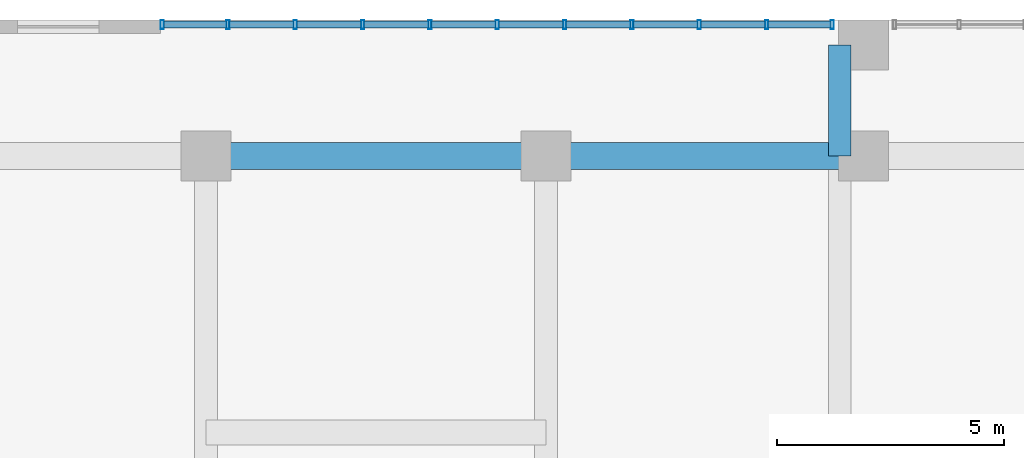
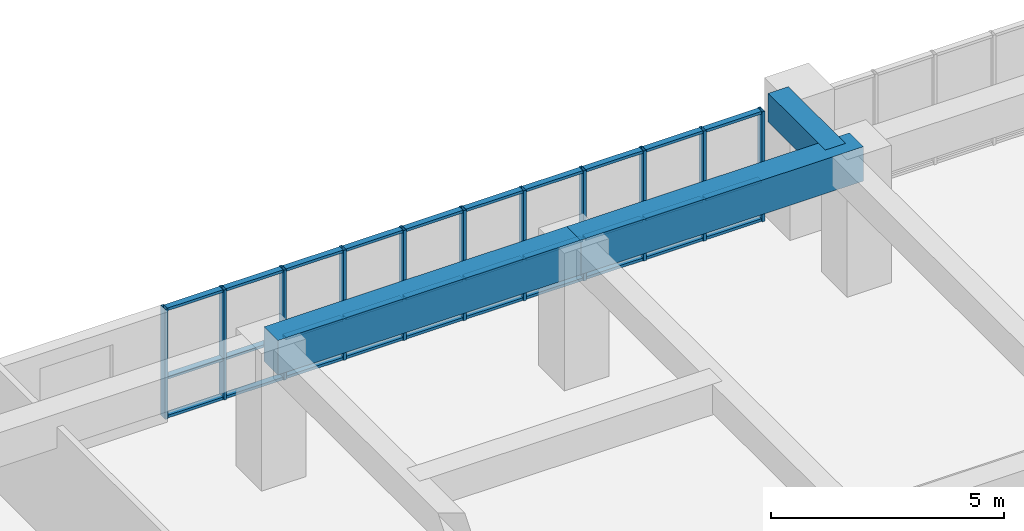
# One storey, part 10 of 30: 41 members, 3 beams, 1 element without a shape of its own.
"""IFC4 building model written with IfcOpenShell, lengths in metres."""

from ifc_helpers import new_model, si_unit, direction, frame, origin, origin_2d, place, context, subcontext, project, spatial, rectangle, hollow_rectangle, extrude, source, transform, mapped, material, layer, layer_set, material_profile, profile_set, type_object, element, aggregate, save


model = new_model("IFC4")

# Units and contexts
model_context = context("Model", 3, precision=1e-05, world=origin(), true_north=direction((0.0, 1.0)))
body_context = subcontext(model_context, "Body", "Model", "MODEL_VIEW")
ifc_project = project(units=[si_unit("LENGTHUNIT", "METRE"), si_unit("AREAUNIT", "SQUARE_METRE"), si_unit("VOLUMEUNIT", "CUBIC_METRE"), si_unit("PLANEANGLEUNIT", "RADIAN"), si_unit("MASSUNIT", "GRAM", prefix="KILO")], contexts=[model_context])

# Site, building, storey
site_placement = place(None, origin())
site = spatial("IfcSite", under=ifc_project, at=site_placement, CompositionType="ELEMENT")
building_placement = place(site_placement, origin())
building = spatial("IfcBuilding", under=site, at=building_placement, Name="Saelheon Loggia Tower", CompositionType="ELEMENT")
storey_placement = place(building_placement, frame((0.0, 0.0, 11.39990234375)))
storey = spatial("IfcBuildingStorey", under=building, at=storey_placement, Name="L03", CompositionType="ELEMENT", Elevation=11.39990234375)

# Beams
ifc_material_1 = material(Name="Concrete C50/60", Category="concrete")
ifc_material_profile_1 = material_profile(ifc_material_1, rectangle(XDim=0.60009765625, YDim=0.89990234375, at=origin_2d()), Name="RC-600x900")
ifc_profile_set_1 = profile_set([ifc_material_profile_1], Name="Concrete C50/60")
beam_type_1 = type_object("IfcBeamType", Name="Beam_MainGirder_RC600x900", PredefinedType="BEAM", material=ifc_profile_set_1)
shared_shape_1 = source(origin(), body_context, "Body", "SweptSolid", [
    extrude(rectangle(XDim=0.60009765625, YDim=0.89990234375, at=origin_2d()), origin(), (0.0, 0.0, 1.0), 7.5),
])
beam_1_placement = place(storey_placement, frame((17.0, 51.0, 3.150146484375), z_axis=(1.0, 0.0, 0.0), x_axis=(0.0, 1.0, 0.0)))
element("IfcBeam", 1, at=beam_1_placement, inside=storey, type_object=beam_type_1, Name="BM-L03-EW-51-3", PredefinedType="BEAM", context=body_context, shape_type="MappedRepresentation", body=[
    mapped(shared_shape_1, transform((0.0, 0.0, 0.0), scale=1.0)),
])
shared_shape_2 = source(origin(), body_context, "Body", "SweptSolid", [
    extrude(rectangle(XDim=0.60009765625, YDim=0.89990234375, at=origin_2d()), origin(), (0.0, 0.0, 1.0), 7.0),
])
beam_2_placement = place(storey_placement, frame((24.5, 51.0, 3.150146484375), z_axis=(1.0, 0.0, 0.0), x_axis=(0.0, 1.0, 0.0)))
element("IfcBeam", 2, at=beam_2_placement, inside=storey, type_object=beam_type_1, Name="BM-L03-EW-51-4", PredefinedType="BEAM", context=body_context, shape_type="MappedRepresentation", body=[
    mapped(shared_shape_2, transform((0.0, 0.0, 0.0), scale=1.0)),
])
ifc_material_2 = material(Name="Concrete C45/55", Category="concrete")
ifc_material_profile_2 = material_profile(ifc_material_2, rectangle(XDim=0.5, YDim=0.75, at=origin_2d()), Name="RC-500x750")
ifc_profile_set_2 = profile_set([ifc_material_profile_2], Name="Concrete C45/55")
beam_type_2 = type_object("IfcBeamType", Name="Beam_FloorGirder_RC500x750", PredefinedType="BEAM", material=ifc_profile_set_2)
shared_shape_3 = source(origin(), body_context, "Body", "SweptSolid", [
    extrude(rectangle(XDim=0.5, YDim=0.75, at=origin_2d()), origin(), (0.0, 0.0, 1.0), 2.449951171875),
])
beam_3_placement = place(storey_placement, frame((30.97998046875, 51.0, 3.22509765625), z_axis=(0.0, 1.0, 0.0), x_axis=(-1.0, 0.0, 0.0)))
element("IfcBeam", 3, at=beam_3_placement, inside=storey, type_object=beam_type_2, Name="BM-L03-NS-30-7", PredefinedType="BEAM", context=body_context, shape_type="MappedRepresentation", body=[
    mapped(shared_shape_3, transform((0.0, 0.0, 0.0), scale=1.0)),
])

# Curtain wall, members
ifc_material_3 = material(Name="Aluminium 6063-T6 and Low-E IGU", Category="aluminium")
ifc_layer = layer(ifc_material_3, 0.179931640625)
ifc_layer_set = layer_set([ifc_layer], Name="Aluminium 6063-T6 and Low-E IGU")
curtain_wall_type = type_object("IfcCurtainWallType", Name="CW_PodiumClinic", PredefinedType="NOTDEFINED", material=ifc_layer_set)
curtain_wall_placement = place(storey_placement, origin())
curtain_wall = element("IfcCurtainWall", 4, at=curtain_wall_placement, inside=storey, type_object=curtain_wall_type, Name="L03 North Clinic Curtain Wall 1", PredefinedType="NOTDEFINED")
ifc_material_4 = material(Name="Anodised Aluminium 6063-T6", Category="aluminium")
ifc_material_profile_3 = material_profile(ifc_material_4, hollow_rectangle(XDim=0.070068359375, YDim=0.199951171875, WallThickness=0.0048828125, at=origin_2d()), Name="RHS-200x70x5")
ifc_profile_set_3 = profile_set([ifc_material_profile_3], Name="Anodised Aluminium 6063-T6")
member_type_1 = type_object("IfcMemberType", Name="CW_PodiumClinic_Mullion", PredefinedType="MULLION", material=ifc_profile_set_3)
shared_shape_4 = source(origin(), body_context, "Body", "SweptSolid", [
    extrude(hollow_rectangle(XDim=0.070068359375, YDim=0.199951171875, WallThickness=0.0048828125, at=origin_2d()), origin(), (0.0, 0.0, 1.0), 2.880126953125),
])
member_1_placement = place(storey_placement, frame((16.034912109375, 53.89990234375, 0.0), z_axis=(0.0, 0.0, 1.0), x_axis=(1.0, 0.0, 0.0)))
member_1 = element("IfcMember", 5, at=member_1_placement, type_object=member_type_1, Name="CW1 mullion 1", PredefinedType="MULLION", context=body_context, shape_type="MappedRepresentation", body=[
    mapped(shared_shape_4, transform((0.0, 0.0, 0.0), scale=1.0)),
])
member_2_placement = place(storey_placement, frame((17.485107421875, 53.89990234375, 0.0), z_axis=(0.0, 0.0, 1.0), x_axis=(1.0, 0.0, 0.0)))
member_2 = element("IfcMember", 6, at=member_2_placement, type_object=member_type_1, Name="CW1 mullion 2", PredefinedType="MULLION", context=body_context, shape_type="MappedRepresentation", body=[
    mapped(shared_shape_4, transform((0.0, 0.0, 0.0), scale=1.0)),
])
member_3_placement = place(storey_placement, frame((18.969970703125, 53.89990234375, 0.0), z_axis=(0.0, 0.0, 1.0), x_axis=(1.0, 0.0, 0.0)))
member_3 = element("IfcMember", 7, at=member_3_placement, type_object=member_type_1, Name="CW1 mullion 3", PredefinedType="MULLION", context=body_context, shape_type="MappedRepresentation", body=[
    mapped(shared_shape_4, transform((0.0, 0.0, 0.0), scale=1.0)),
])
member_4_placement = place(storey_placement, frame((20.455078125, 53.89990234375, 0.0), z_axis=(0.0, 0.0, 1.0), x_axis=(1.0, 0.0, 0.0)))
member_4 = element("IfcMember", 8, at=member_4_placement, type_object=member_type_1, Name="CW1 mullion 4", PredefinedType="MULLION", context=body_context, shape_type="MappedRepresentation", body=[
    mapped(shared_shape_4, transform((0.0, 0.0, 0.0), scale=1.0)),
])
member_5_placement = place(storey_placement, frame((21.93994140625, 53.89990234375, 0.0), z_axis=(0.0, 0.0, 1.0), x_axis=(1.0, 0.0, 0.0)))
member_5 = element("IfcMember", 9, at=member_5_placement, type_object=member_type_1, Name="CW1 mullion 5", PredefinedType="MULLION", context=body_context, shape_type="MappedRepresentation", body=[
    mapped(shared_shape_4, transform((0.0, 0.0, 0.0), scale=1.0)),
])
member_6_placement = place(storey_placement, frame((23.425048828125, 53.89990234375, 0.0), z_axis=(0.0, 0.0, 1.0), x_axis=(1.0, 0.0, 0.0)))
member_6 = element("IfcMember", 10, at=member_6_placement, type_object=member_type_1, Name="CW1 mullion 6", PredefinedType="MULLION", context=body_context, shape_type="MappedRepresentation", body=[
    mapped(shared_shape_4, transform((0.0, 0.0, 0.0), scale=1.0)),
])
member_7_placement = place(storey_placement, frame((24.909912109375, 53.89990234375, 0.0), z_axis=(0.0, 0.0, 1.0), x_axis=(1.0, 0.0, 0.0)))
member_7 = element("IfcMember", 11, at=member_7_placement, type_object=member_type_1, Name="CW1 mullion 7", PredefinedType="MULLION", context=body_context, shape_type="MappedRepresentation", body=[
    mapped(shared_shape_4, transform((0.0, 0.0, 0.0), scale=1.0)),
])
member_8_placement = place(storey_placement, frame((26.39501953125, 53.89990234375, 0.0), z_axis=(0.0, 0.0, 1.0), x_axis=(1.0, 0.0, 0.0)))
member_8 = element("IfcMember", 12, at=member_8_placement, type_object=member_type_1, Name="CW1 mullion 8", PredefinedType="MULLION", context=body_context, shape_type="MappedRepresentation", body=[
    mapped(shared_shape_4, transform((0.0, 0.0, 0.0), scale=1.0)),
])
member_9_placement = place(storey_placement, frame((27.8798828125, 53.89990234375, 0.0), z_axis=(0.0, 0.0, 1.0), x_axis=(1.0, 0.0, 0.0)))
member_9 = element("IfcMember", 13, at=member_9_placement, type_object=member_type_1, Name="CW1 mullion 9", PredefinedType="MULLION", context=body_context, shape_type="MappedRepresentation", body=[
    mapped(shared_shape_4, transform((0.0, 0.0, 0.0), scale=1.0)),
])
member_10_placement = place(storey_placement, frame((29.364990234375, 53.89990234375, 0.0), z_axis=(0.0, 0.0, 1.0), x_axis=(1.0, 0.0, 0.0)))
member_10 = element("IfcMember", 14, at=member_10_placement, type_object=member_type_1, Name="CW1 mullion 10", PredefinedType="MULLION", context=body_context, shape_type="MappedRepresentation", body=[
    mapped(shared_shape_4, transform((0.0, 0.0, 0.0), scale=1.0)),
])
member_11_placement = place(storey_placement, frame((30.81494140625, 53.89990234375, 0.0), z_axis=(0.0, 0.0, 1.0), x_axis=(1.0, 0.0, 0.0)))
member_11 = element("IfcMember", 15, at=member_11_placement, type_object=member_type_1, Name="CW1 mullion 11", PredefinedType="MULLION", context=body_context, shape_type="MappedRepresentation", body=[
    mapped(shared_shape_4, transform((0.0, 0.0, 0.0), scale=1.0)),
])
ifc_material_profile_4 = material_profile(ifc_material_4, hollow_rectangle(XDim=0.070068359375, YDim=0.14990234375, WallThickness=0.0048828125, at=origin_2d()), Name="RHS-150x70x5")
ifc_profile_set_4 = profile_set([ifc_material_profile_4], Name="Anodised Aluminium 6063-T6")
member_type_2 = type_object("IfcMemberType", Name="CW_PodiumClinic_Transom", PredefinedType="USERDEFINED", material=ifc_profile_set_4)
shared_shape_5 = source(origin(), body_context, "Body", "SweptSolid", [
    extrude(hollow_rectangle(XDim=0.070068359375, YDim=0.14990234375, WallThickness=0.0048828125, at=origin_2d()), origin(), (0.0, 0.0, 1.0), 1.3798828125),
])
member_12_placement = place(storey_placement, frame((16.070068359375, 53.89990234375, 0.03515625), z_axis=(1.0, 0.0, 0.0), x_axis=(0.0, 0.0, 1.0)))
member_12 = element("IfcMember", 16, at=member_12_placement, type_object=member_type_2, Name="CW1 transom 1.1", ObjectType="TRANSOM", PredefinedType="USERDEFINED", context=body_context, shape_type="MappedRepresentation", body=[
    mapped(shared_shape_5, transform((0.0, 0.0, 0.0), scale=1.0)),
])
member_13_placement = place(storey_placement, frame((16.070068359375, 53.89990234375, 1.050048828125), z_axis=(1.0, 0.0, 0.0), x_axis=(0.0, 0.0, 1.0)))
member_13 = element("IfcMember", 17, at=member_13_placement, type_object=member_type_2, Name="CW1 transom 1.2", ObjectType="TRANSOM", PredefinedType="USERDEFINED", context=body_context, shape_type="MappedRepresentation", body=[
    mapped(shared_shape_5, transform((0.0, 0.0, 0.0), scale=1.0)),
])
member_14_placement = place(storey_placement, frame((16.070068359375, 53.89990234375, 2.84521484375), z_axis=(1.0, 0.0, 0.0), x_axis=(0.0, 0.0, 1.0)))
member_14 = element("IfcMember", 18, at=member_14_placement, type_object=member_type_2, Name="CW1 transom 1.3", ObjectType="TRANSOM", PredefinedType="USERDEFINED", context=body_context, shape_type="MappedRepresentation", body=[
    mapped(shared_shape_5, transform((0.0, 0.0, 0.0), scale=1.0)),
])
shared_shape_6 = source(origin(), body_context, "Body", "SweptSolid", [
    extrude(hollow_rectangle(XDim=0.070068359375, YDim=0.14990234375, WallThickness=0.0048828125, at=origin_2d()), origin(), (0.0, 0.0, 1.0), 1.4150390625),
])
member_15_placement = place(storey_placement, frame((17.52001953125, 53.89990234375, 0.03515625), z_axis=(1.0, 0.0, 0.0), x_axis=(0.0, 0.0, 1.0)))
member_15 = element("IfcMember", 19, at=member_15_placement, type_object=member_type_2, Name="CW1 transom 2.1", ObjectType="TRANSOM", PredefinedType="USERDEFINED", context=body_context, shape_type="MappedRepresentation", body=[
    mapped(shared_shape_6, transform((0.0, 0.0, 0.0), scale=1.0)),
])
member_16_placement = place(storey_placement, frame((17.52001953125, 53.89990234375, 1.050048828125), z_axis=(1.0, 0.0, 0.0), x_axis=(0.0, 0.0, 1.0)))
member_16 = element("IfcMember", 20, at=member_16_placement, type_object=member_type_2, Name="CW1 transom 2.2", ObjectType="TRANSOM", PredefinedType="USERDEFINED", context=body_context, shape_type="MappedRepresentation", body=[
    mapped(shared_shape_6, transform((0.0, 0.0, 0.0), scale=1.0)),
])
member_17_placement = place(storey_placement, frame((17.52001953125, 53.89990234375, 2.84521484375), z_axis=(1.0, 0.0, 0.0), x_axis=(0.0, 0.0, 1.0)))
member_17 = element("IfcMember", 21, at=member_17_placement, type_object=member_type_2, Name="CW1 transom 2.3", ObjectType="TRANSOM", PredefinedType="USERDEFINED", context=body_context, shape_type="MappedRepresentation", body=[
    mapped(shared_shape_6, transform((0.0, 0.0, 0.0), scale=1.0)),
])
member_18_placement = place(storey_placement, frame((19.0048828125, 53.89990234375, 0.03515625), z_axis=(1.0, 0.0, 0.0), x_axis=(0.0, 0.0, 1.0)))
member_18 = element("IfcMember", 22, at=member_18_placement, type_object=member_type_2, Name="CW1 transom 3.1", ObjectType="TRANSOM", PredefinedType="USERDEFINED", context=body_context, shape_type="MappedRepresentation", body=[
    mapped(shared_shape_6, transform((0.0, 0.0, 0.0), scale=1.0)),
])
member_19_placement = place(storey_placement, frame((19.0048828125, 53.89990234375, 1.050048828125), z_axis=(1.0, 0.0, 0.0), x_axis=(0.0, 0.0, 1.0)))
member_19 = element("IfcMember", 23, at=member_19_placement, type_object=member_type_2, Name="CW1 transom 3.2", ObjectType="TRANSOM", PredefinedType="USERDEFINED", context=body_context, shape_type="MappedRepresentation", body=[
    mapped(shared_shape_6, transform((0.0, 0.0, 0.0), scale=1.0)),
])
member_20_placement = place(storey_placement, frame((19.0048828125, 53.89990234375, 2.84521484375), z_axis=(1.0, 0.0, 0.0), x_axis=(0.0, 0.0, 1.0)))
member_20 = element("IfcMember", 24, at=member_20_placement, type_object=member_type_2, Name="CW1 transom 3.3", ObjectType="TRANSOM", PredefinedType="USERDEFINED", context=body_context, shape_type="MappedRepresentation", body=[
    mapped(shared_shape_6, transform((0.0, 0.0, 0.0), scale=1.0)),
])
member_21_placement = place(storey_placement, frame((20.489990234375, 53.89990234375, 0.03515625), z_axis=(1.0, 0.0, 0.0), x_axis=(0.0, 0.0, 1.0)))
member_21 = element("IfcMember", 25, at=member_21_placement, type_object=member_type_2, Name="CW1 transom 4.1", ObjectType="TRANSOM", PredefinedType="USERDEFINED", context=body_context, shape_type="MappedRepresentation", body=[
    mapped(shared_shape_6, transform((0.0, 0.0, 0.0), scale=1.0)),
])
member_22_placement = place(storey_placement, frame((20.489990234375, 53.89990234375, 1.050048828125), z_axis=(1.0, 0.0, 0.0), x_axis=(0.0, 0.0, 1.0)))
member_22 = element("IfcMember", 26, at=member_22_placement, type_object=member_type_2, Name="CW1 transom 4.2", ObjectType="TRANSOM", PredefinedType="USERDEFINED", context=body_context, shape_type="MappedRepresentation", body=[
    mapped(shared_shape_6, transform((0.0, 0.0, 0.0), scale=1.0)),
])
member_23_placement = place(storey_placement, frame((20.489990234375, 53.89990234375, 2.84521484375), z_axis=(1.0, 0.0, 0.0), x_axis=(0.0, 0.0, 1.0)))
member_23 = element("IfcMember", 27, at=member_23_placement, type_object=member_type_2, Name="CW1 transom 4.3", ObjectType="TRANSOM", PredefinedType="USERDEFINED", context=body_context, shape_type="MappedRepresentation", body=[
    mapped(shared_shape_6, transform((0.0, 0.0, 0.0), scale=1.0)),
])
member_24_placement = place(storey_placement, frame((23.4599609375, 53.89990234375, 0.03515625), z_axis=(1.0, 0.0, 0.0), x_axis=(0.0, 0.0, 1.0)))
member_24 = element("IfcMember", 28, at=member_24_placement, type_object=member_type_2, Name="CW1 transom 6.1", ObjectType="TRANSOM", PredefinedType="USERDEFINED", context=body_context, shape_type="MappedRepresentation", body=[
    mapped(shared_shape_6, transform((0.0, 0.0, 0.0), scale=1.0)),
])
member_25_placement = place(storey_placement, frame((23.4599609375, 53.89990234375, 1.050048828125), z_axis=(1.0, 0.0, 0.0), x_axis=(0.0, 0.0, 1.0)))
member_25 = element("IfcMember", 29, at=member_25_placement, type_object=member_type_2, Name="CW1 transom 6.2", ObjectType="TRANSOM", PredefinedType="USERDEFINED", context=body_context, shape_type="MappedRepresentation", body=[
    mapped(shared_shape_6, transform((0.0, 0.0, 0.0), scale=1.0)),
])
member_26_placement = place(storey_placement, frame((23.4599609375, 53.89990234375, 2.84521484375), z_axis=(1.0, 0.0, 0.0), x_axis=(0.0, 0.0, 1.0)))
member_26 = element("IfcMember", 30, at=member_26_placement, type_object=member_type_2, Name="CW1 transom 6.3", ObjectType="TRANSOM", PredefinedType="USERDEFINED", context=body_context, shape_type="MappedRepresentation", body=[
    mapped(shared_shape_6, transform((0.0, 0.0, 0.0), scale=1.0)),
])
member_27_placement = place(storey_placement, frame((24.945068359375, 53.89990234375, 0.03515625), z_axis=(1.0, 0.0, 0.0), x_axis=(0.0, 0.0, 1.0)))
member_27 = element("IfcMember", 31, at=member_27_placement, type_object=member_type_2, Name="CW1 transom 7.1", ObjectType="TRANSOM", PredefinedType="USERDEFINED", context=body_context, shape_type="MappedRepresentation", body=[
    mapped(shared_shape_6, transform((0.0, 0.0, 0.0), scale=1.0)),
])
member_28_placement = place(storey_placement, frame((24.945068359375, 53.89990234375, 1.050048828125), z_axis=(1.0, 0.0, 0.0), x_axis=(0.0, 0.0, 1.0)))
member_28 = element("IfcMember", 32, at=member_28_placement, type_object=member_type_2, Name="CW1 transom 7.2", ObjectType="TRANSOM", PredefinedType="USERDEFINED", context=body_context, shape_type="MappedRepresentation", body=[
    mapped(shared_shape_6, transform((0.0, 0.0, 0.0), scale=1.0)),
])
member_29_placement = place(storey_placement, frame((24.945068359375, 53.89990234375, 2.84521484375), z_axis=(1.0, 0.0, 0.0), x_axis=(0.0, 0.0, 1.0)))
member_29 = element("IfcMember", 33, at=member_29_placement, type_object=member_type_2, Name="CW1 transom 7.3", ObjectType="TRANSOM", PredefinedType="USERDEFINED", context=body_context, shape_type="MappedRepresentation", body=[
    mapped(shared_shape_6, transform((0.0, 0.0, 0.0), scale=1.0)),
])
member_30_placement = place(storey_placement, frame((26.429931640625, 53.89990234375, 0.03515625), z_axis=(1.0, 0.0, 0.0), x_axis=(0.0, 0.0, 1.0)))
member_30 = element("IfcMember", 34, at=member_30_placement, type_object=member_type_2, Name="CW1 transom 8.1", ObjectType="TRANSOM", PredefinedType="USERDEFINED", context=body_context, shape_type="MappedRepresentation", body=[
    mapped(shared_shape_6, transform((0.0, 0.0, 0.0), scale=1.0)),
])
member_31_placement = place(storey_placement, frame((26.429931640625, 53.89990234375, 1.050048828125), z_axis=(1.0, 0.0, 0.0), x_axis=(0.0, 0.0, 1.0)))
member_31 = element("IfcMember", 35, at=member_31_placement, type_object=member_type_2, Name="CW1 transom 8.2", ObjectType="TRANSOM", PredefinedType="USERDEFINED", context=body_context, shape_type="MappedRepresentation", body=[
    mapped(shared_shape_6, transform((0.0, 0.0, 0.0), scale=1.0)),
])
member_32_placement = place(storey_placement, frame((26.429931640625, 53.89990234375, 2.84521484375), z_axis=(1.0, 0.0, 0.0), x_axis=(0.0, 0.0, 1.0)))
member_32 = element("IfcMember", 36, at=member_32_placement, type_object=member_type_2, Name="CW1 transom 8.3", ObjectType="TRANSOM", PredefinedType="USERDEFINED", context=body_context, shape_type="MappedRepresentation", body=[
    mapped(shared_shape_6, transform((0.0, 0.0, 0.0), scale=1.0)),
])
member_33_placement = place(storey_placement, frame((27.9150390625, 53.89990234375, 0.03515625), z_axis=(1.0, 0.0, 0.0), x_axis=(0.0, 0.0, 1.0)))
member_33 = element("IfcMember", 37, at=member_33_placement, type_object=member_type_2, Name="CW1 transom 9.1", ObjectType="TRANSOM", PredefinedType="USERDEFINED", context=body_context, shape_type="MappedRepresentation", body=[
    mapped(shared_shape_6, transform((0.0, 0.0, 0.0), scale=1.0)),
])
member_34_placement = place(storey_placement, frame((27.9150390625, 53.89990234375, 1.050048828125), z_axis=(1.0, 0.0, 0.0), x_axis=(0.0, 0.0, 1.0)))
member_34 = element("IfcMember", 38, at=member_34_placement, type_object=member_type_2, Name="CW1 transom 9.2", ObjectType="TRANSOM", PredefinedType="USERDEFINED", context=body_context, shape_type="MappedRepresentation", body=[
    mapped(shared_shape_6, transform((0.0, 0.0, 0.0), scale=1.0)),
])
member_35_placement = place(storey_placement, frame((27.9150390625, 53.89990234375, 2.84521484375), z_axis=(1.0, 0.0, 0.0), x_axis=(0.0, 0.0, 1.0)))
member_35 = element("IfcMember", 39, at=member_35_placement, type_object=member_type_2, Name="CW1 transom 9.3", ObjectType="TRANSOM", PredefinedType="USERDEFINED", context=body_context, shape_type="MappedRepresentation", body=[
    mapped(shared_shape_6, transform((0.0, 0.0, 0.0), scale=1.0)),
])
shared_shape_7 = source(origin(), body_context, "Body", "SweptSolid", [
    extrude(hollow_rectangle(XDim=0.070068359375, YDim=0.14990234375, WallThickness=0.0048828125, at=origin_2d()), origin(), (0.0, 0.0, 1.0), 1.414794921875),
])
member_36_placement = place(storey_placement, frame((21.97509765625, 53.89990234375, 0.03515625), z_axis=(1.0, 0.0, 0.0), x_axis=(0.0, 0.0, 1.0)))
member_36 = element("IfcMember", 40, at=member_36_placement, type_object=member_type_2, Name="CW1 transom 5.1", ObjectType="TRANSOM", PredefinedType="USERDEFINED", context=body_context, shape_type="MappedRepresentation", body=[
    mapped(shared_shape_7, transform((0.0, 0.0, 0.0), scale=1.0)),
])
member_37_placement = place(storey_placement, frame((21.97509765625, 53.89990234375, 1.050048828125), z_axis=(1.0, 0.0, 0.0), x_axis=(0.0, 0.0, 1.0)))
member_37 = element("IfcMember", 41, at=member_37_placement, type_object=member_type_2, Name="CW1 transom 5.2", ObjectType="TRANSOM", PredefinedType="USERDEFINED", context=body_context, shape_type="MappedRepresentation", body=[
    mapped(shared_shape_7, transform((0.0, 0.0, 0.0), scale=1.0)),
])
member_38_placement = place(storey_placement, frame((21.97509765625, 53.89990234375, 2.84521484375), z_axis=(1.0, 0.0, 0.0), x_axis=(0.0, 0.0, 1.0)))
member_38 = element("IfcMember", 42, at=member_38_placement, type_object=member_type_2, Name="CW1 transom 5.3", ObjectType="TRANSOM", PredefinedType="USERDEFINED", context=body_context, shape_type="MappedRepresentation", body=[
    mapped(shared_shape_7, transform((0.0, 0.0, 0.0), scale=1.0)),
])
shared_shape_8 = source(origin(), body_context, "Body", "SweptSolid", [
    extrude(hollow_rectangle(XDim=0.070068359375, YDim=0.14990234375, WallThickness=0.0048828125, at=origin_2d()), origin(), (0.0, 0.0, 1.0), 1.380126953125),
])
member_39_placement = place(storey_placement, frame((29.39990234375, 53.89990234375, 0.03515625), z_axis=(1.0, 0.0, 0.0), x_axis=(0.0, 0.0, 1.0)))
member_39 = element("IfcMember", 43, at=member_39_placement, type_object=member_type_2, Name="CW1 transom 10.1", ObjectType="TRANSOM", PredefinedType="USERDEFINED", context=body_context, shape_type="MappedRepresentation", body=[
    mapped(shared_shape_8, transform((0.0, 0.0, 0.0), scale=1.0)),
])
member_40_placement = place(storey_placement, frame((29.39990234375, 53.89990234375, 1.050048828125), z_axis=(1.0, 0.0, 0.0), x_axis=(0.0, 0.0, 1.0)))
member_40 = element("IfcMember", 44, at=member_40_placement, type_object=member_type_2, Name="CW1 transom 10.2", ObjectType="TRANSOM", PredefinedType="USERDEFINED", context=body_context, shape_type="MappedRepresentation", body=[
    mapped(shared_shape_8, transform((0.0, 0.0, 0.0), scale=1.0)),
])
member_41_placement = place(storey_placement, frame((29.39990234375, 53.89990234375, 2.84521484375), z_axis=(1.0, 0.0, 0.0), x_axis=(0.0, 0.0, 1.0)))
member_41 = element("IfcMember", 45, at=member_41_placement, type_object=member_type_2, Name="CW1 transom 10.3", ObjectType="TRANSOM", PredefinedType="USERDEFINED", context=body_context, shape_type="MappedRepresentation", body=[
    mapped(shared_shape_8, transform((0.0, 0.0, 0.0), scale=1.0)),
])
aggregate(curtain_wall, [member_1, member_2, member_3, member_4, member_5, member_6, member_7, member_8, member_9, member_10, member_11, member_12, member_13, member_14, member_15, member_16, member_17, member_18, member_19, member_20, member_21, member_22, member_23, member_36, member_37, member_38, member_24, member_25, member_26, member_27, member_28, member_29, member_30, member_31, member_32, member_33, member_34, member_35, member_39, member_40, member_41])

save(model, "model.ifc")
